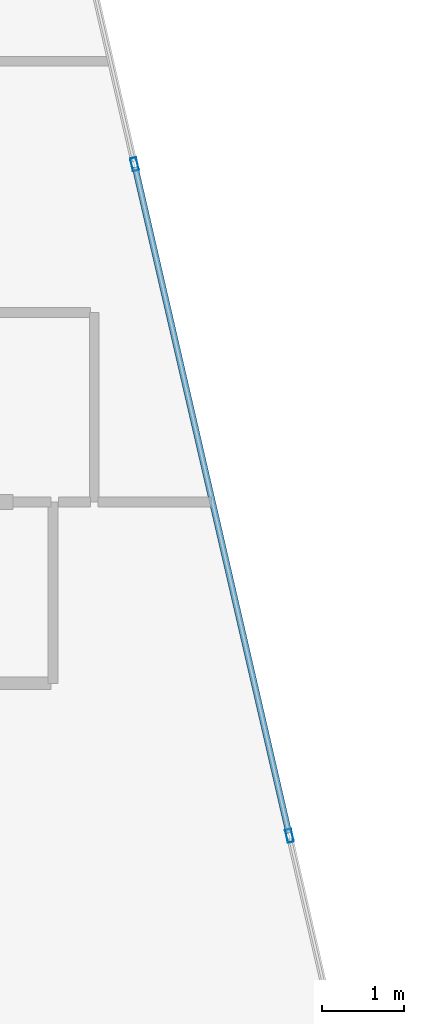
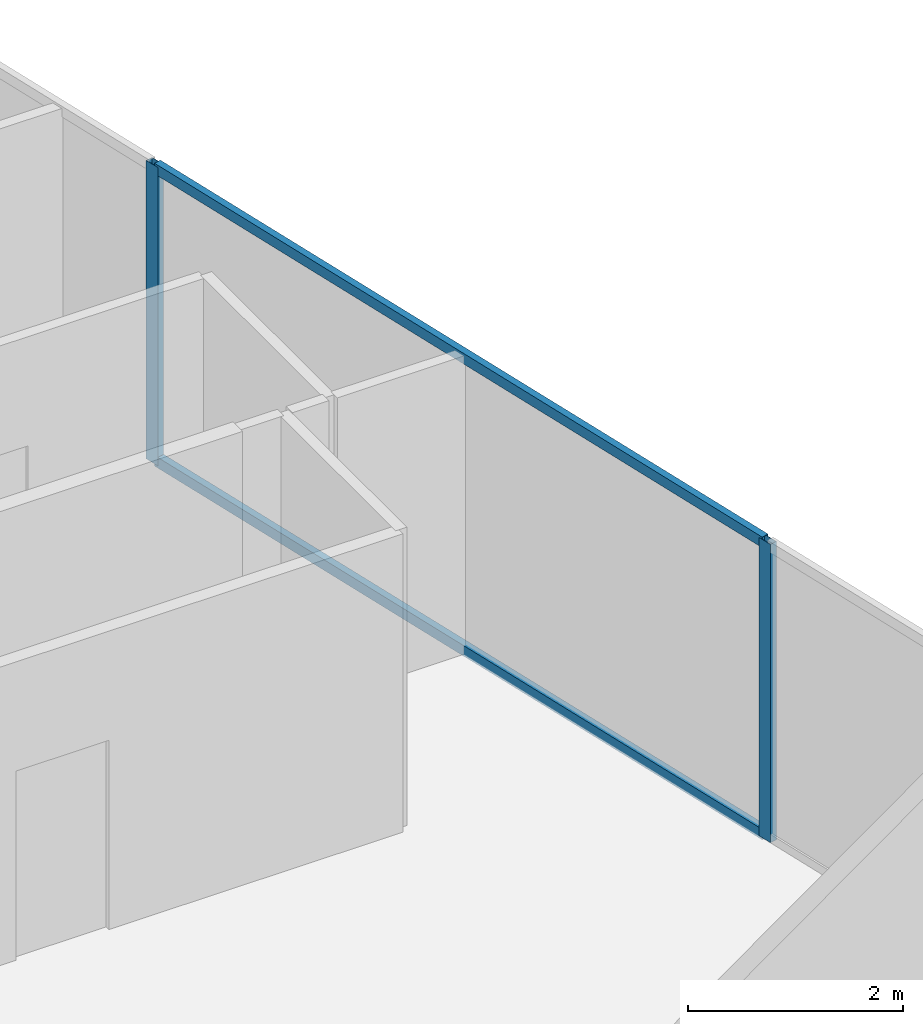
# One storey, part 20 of 29: 4 members, 1 element without a shape of its own.
"""IFC4 building model written with IfcOpenShell, lengths in metres."""

from ifc_helpers import new_model, si_unit, direction, frame, origin, origin_2d, place, context, subcontext, project, spatial, hollow_rectangle, extrude, material, layer, layer_set, material_profile, profile_set, type_object, element, aggregate, save


model = new_model("IFC4")

# Units and contexts
model_context = context("Model", 3, precision=1e-05, world=origin(), true_north=direction((0.0, 1.0)))
body_context = subcontext(model_context, "Body", "Model", "MODEL_VIEW")
ifc_project = project(units=[si_unit("LENGTHUNIT", "METRE"), si_unit("AREAUNIT", "SQUARE_METRE"), si_unit("VOLUMEUNIT", "CUBIC_METRE"), si_unit("PLANEANGLEUNIT", "RADIAN"), si_unit("MASSUNIT", "GRAM", prefix="KILO")], contexts=[model_context])

# Site, building, storey
site_placement = place(None, origin())
site = spatial("IfcSite", under=ifc_project, at=site_placement, CompositionType="ELEMENT")
building_placement = place(site_placement, origin())
building = spatial("IfcBuilding", under=site, at=building_placement, Name="Keshet Zoharim Tower", CompositionType="ELEMENT")
storey_placement = place(building_placement, frame((0.0, 0.0, 206.89990234375)))
storey = spatial("IfcBuildingStorey", under=building, at=storey_placement, Name="L51", CompositionType="ELEMENT", Elevation=206.89990234375)

# Curtain wall, members
ifc_material = material(Name="Aluminium 6063-T6", Category="aluminium")
ifc_layer = layer(ifc_material, 0.139892578125)
ifc_layer_set = layer_set([ifc_layer], Name="Aluminium 6063-T6")
curtain_wall_type = type_object("IfcCurtainWallType", Name="CW-SYS-05", PredefinedType="NOTDEFINED", material=ifc_layer_set)
curtain_wall_placement = place(storey_placement, origin())
curtain_wall = element("IfcCurtainWall", 1, at=curtain_wall_placement, inside=storey, type_object=curtain_wall_type, Name="L51 Unitised Curtain Wall 19", PredefinedType="NOTDEFINED")
ifc_material_profile_1 = material_profile(ifc_material, hollow_rectangle(XDim=0.074951171875, YDim=0.159912109375, WallThickness=0.00390625, at=origin_2d()), Name="MUL-75x160")
ifc_profile_set_1 = profile_set([ifc_material_profile_1], Name="Aluminium 6063-T6")
member_type_1 = type_object("IfcMemberType", Name="CWM-M15", PredefinedType="MULLION", material=ifc_profile_set_1)
member_1_placement = place(storey_placement, frame((41.23876953125, 44.199951171875, 0.0), z_axis=(0.0, 0.0, 1.0), x_axis=(0.974393882313, 0.224847864369, 0.0)))
member_1 = element("IfcMember", 2, at=member_1_placement, type_object=member_type_1, Name="CW-05 mullion 2", PredefinedType="MULLION", context=body_context, shape_type="SweptSolid", body=[
    extrude(hollow_rectangle(XDim=0.074951171875, YDim=0.159912109375, WallThickness=0.00390625, at=origin_2d()), origin(), (0.0, 0.0, 1.0), 3.39013671875),
])
member_2_placement = place(storey_placement, frame((43.119384765625, 36.050048828125, 0.0), z_axis=(0.0, 0.0, 1.0), x_axis=(0.974393882313, 0.224847864369, 0.0)))
member_2 = element("IfcMember", 3, at=member_2_placement, type_object=member_type_1, Name="CW-05 mullion 3", PredefinedType="MULLION", context=body_context, shape_type="SweptSolid", body=[
    extrude(hollow_rectangle(XDim=0.074951171875, YDim=0.159912109375, WallThickness=0.00390625, at=origin_2d()), origin(), (0.0, 0.0, 1.0), 3.39013671875),
])
ifc_material_profile_2 = material_profile(ifc_material, hollow_rectangle(XDim=0.074951171875, YDim=0.1201171875, WallThickness=0.00390625, at=origin_2d()), Name="TRN-75x120")
ifc_profile_set_2 = profile_set([ifc_material_profile_2], Name="Aluminium 6063-T6")
member_type_2 = type_object("IfcMemberType", Name="CWT-T12", PredefinedType="USERDEFINED", material=ifc_profile_set_2)
member_3_placement = place(storey_placement, frame((41.24658203125, 44.166015625, 0.03515625), z_axis=(0.224848758198, -0.974393676055, 0.0), x_axis=(0.974393676055, 0.224848758198, 0.0)))
member_3 = element("IfcMember", 4, at=member_3_placement, type_object=member_type_2, Name="CW-05 transom 2.1", ObjectType="TRANSOM", PredefinedType="USERDEFINED", context=body_context, shape_type="SweptSolid", body=[
    extrude(hollow_rectangle(XDim=0.074951171875, YDim=0.1201171875, WallThickness=0.00390625, at=origin_2d()), origin(), (0.0, 0.0, 1.0), 8.29443359375),
])
member_4_placement = place(storey_placement, frame((41.24658203125, 44.166015625, 3.35498046875), z_axis=(0.224848758198, -0.974393676055, 0.0), x_axis=(0.974393676055, 0.224848758198, 0.0)))
member_4 = element("IfcMember", 5, at=member_4_placement, type_object=member_type_2, Name="CW-05 transom 2.2", ObjectType="TRANSOM", PredefinedType="USERDEFINED", context=body_context, shape_type="SweptSolid", body=[
    extrude(hollow_rectangle(XDim=0.074951171875, YDim=0.1201171875, WallThickness=0.00390625, at=origin_2d()), origin(), (0.0, 0.0, 1.0), 8.29443359375),
])
aggregate(curtain_wall, [member_1, member_2, member_3, member_4])

save(model, "model.ifc")
